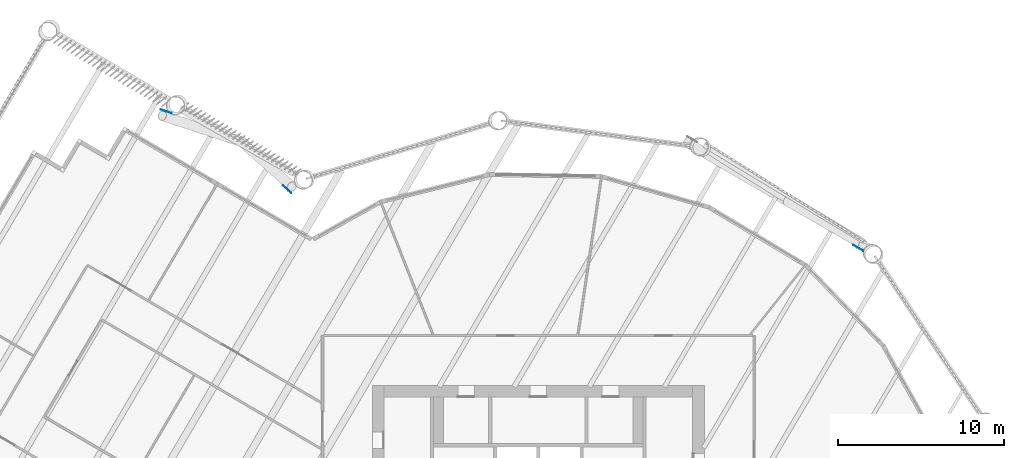
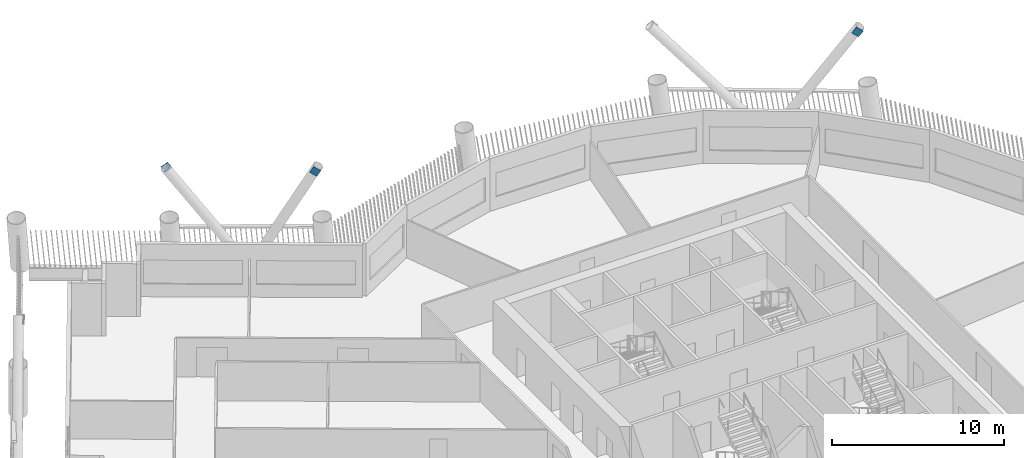
# One storey, part 15 of 23: 3 discrete accessories.
"""IFC4 building model written with IfcOpenShell, lengths in metres."""

import ifcopenshell
import ifcopenshell.guid

model = None  # the IFC model being written
_history = None  # IfcOwnerHistory: only IFC2X3 demands one
_inside = {}  # id of a spatial element -> (the spatial element, [elements in it])
_under = {}  # id of a project, library or spatial element -> (it, [spatial elements below it])
_declared = {}  # id of a project -> (the project, [libraries it declares])
_typed = {}  # id of a type object -> (the type object, [elements of that type])
_made_of = {}  # id of a material, layer set ... -> (it, [elements and type objects made of it])


def new_model(schema):
    """Start an empty IFC model of exactly this schema.

    Asked for "IFC4X3", IfcOpenShell would pick the latest addendum, in which some entities
    have other attributes; the version numbers below select the first issue.
    IFC2X3 requires an IfcOwnerHistory on every rooted entity: one is made here for all.
    """
    global model, _history
    if schema == "IFC4X3":
        model = ifcopenshell.file(schema_version=(4, 3, 0, 0))
    else:
        model = ifcopenshell.file(schema=schema)
    _inside.clear()
    _under.clear()
    _declared.clear()
    _typed.clear()
    _made_of.clear()
    _history = None
    if model.schema == "IFC2X3":
        org = make("IfcOrganization", Name="unknown")
        user = make(
            "IfcPersonAndOrganization",
            ThePerson=make("IfcPerson", FamilyName="unknown"),
            TheOrganization=org,
        )
        app = make(
            "IfcApplication",
            ApplicationDeveloper=org,
            Version="unknown",
            ApplicationFullName="unknown",
            ApplicationIdentifier="unknown",
        )
        _history = make(
            "IfcOwnerHistory",
            OwningUser=user,
            OwningApplication=app,
            ChangeAction="ADDED",
            CreationDate=0,
        )
    return model


def make(cls, **values):
    """One entity of the class cls with the attributes given. An attribute that is None is left unset."""
    return model.create_entity(
        cls, **{name: value for name, value in values.items() if value is not None}
    )


def rooted(cls, **values):
    """An entity with a GlobalId (a new one), such as an element, a storey or a relation."""
    return make(cls, GlobalId=ifcopenshell.guid.new(), OwnerHistory=_history, **values)


def si_unit(unit_type, name, prefix=None):
    """IfcSIUnit, for example si_unit("LENGTHUNIT", "METRE", prefix="MILLI")."""
    return make("IfcSIUnit", UnitType=unit_type, Prefix=prefix, Name=name)


def assignment(units):
    """IfcUnitAssignment: the units of a project."""
    return None if units is None else make("IfcUnitAssignment", Units=units)


def point(xyz):
    """IfcCartesianPoint."""
    return None if xyz is None else make("IfcCartesianPoint", Coordinates=xyz)


def direction(xyz):
    """IfcDirection."""
    return None if xyz is None else make("IfcDirection", DirectionRatios=xyz)


def frame(location, z_axis=None, x_axis=None):
    """IfcAxis2Placement3D, a coordinate frame: its origin and axes. An axis left out is left unset."""
    return make(
        "IfcAxis2Placement3D",
        Location=point(location),
        Axis=direction(z_axis),
        RefDirection=direction(x_axis),
    )


def frame_2d(location, x_axis=None):
    """IfcAxis2Placement2D, a coordinate frame in the plane: its origin and x axis."""
    return make(
        "IfcAxis2Placement2D", Location=point(location), RefDirection=direction(x_axis)
    )


def origin():
    """The frame at (0, 0, 0) with its axes left unset."""
    return frame((0.0, 0.0, 0.0))


def origin_2d():
    """The frame at (0, 0) in the plane with its x axis left unset."""
    return frame_2d((0.0, 0.0))


def place(relative_to, where):
    """IfcLocalPlacement: puts the frame where relative to a parent placement (None: the world)."""
    return make(
        "IfcLocalPlacement", PlacementRelTo=relative_to, RelativePlacement=where
    )


def context(
    kind, dimensions, precision=None, world=None, true_north=None, identifier=None
):
    """IfcGeometricRepresentationContext, for example the 3D "Model" context."""
    return make(
        "IfcGeometricRepresentationContext",
        ContextIdentifier=identifier,
        ContextType=kind,
        CoordinateSpaceDimension=dimensions,
        Precision=precision,
        WorldCoordinateSystem=world,
        TrueNorth=true_north,
    )


def subcontext(parent, identifier, kind, view, scale=None):
    """IfcGeometricRepresentationSubContext, for example "Body" below "Model"."""
    return make(
        "IfcGeometricRepresentationSubContext",
        ContextIdentifier=identifier,
        ContextType=kind,
        ParentContext=parent,
        TargetScale=scale,
        TargetView=view,
    )


def project(units=None, contexts=None):
    """IfcProject with its units and contexts."""
    return rooted(
        "IfcProject",
        Name="project",
        RepresentationContexts=contexts,
        UnitsInContext=assignment(units),
    )


def spatial(cls, under=None, at=None, **own):
    """A site, building, storey or space (cls), placed at a placement, below another one or the project."""
    s = rooted(cls, ObjectPlacement=at, **own)
    if under is not None:
        _under.setdefault(under.id(), (under, []))[1].append(s)
    return s


def profile(cls, at=None, kind="AREA", **sizes):
    """A parametric profile (cls). Its sizes go by their IFC names, for example OverallWidth=200.0."""
    return make(cls, ProfileType=kind, Position=at, **sizes)


def rectangle(**sizes):
    """IfcRectangleProfileDef."""
    return profile("IfcRectangleProfileDef", **sizes)


def extrude(swept, where, along, depth):
    """IfcExtrudedAreaSolid: the profile swept, set in the frame where, extruded along a direction by depth."""
    return make(
        "IfcExtrudedAreaSolid",
        SweptArea=swept,
        Position=where,
        ExtrudedDirection=direction(along),
        Depth=depth,
    )


def shape(context_of_items, identifier, shape_type, items):
    """IfcShapeRepresentation: the items that make up one representation, for example the "Body"."""
    return make(
        "IfcShapeRepresentation",
        ContextOfItems=context_of_items,
        RepresentationIdentifier=identifier,
        RepresentationType=shape_type,
        Items=items,
    )


def material(Name=None, Category=None):
    """IfcMaterial."""
    return make("IfcMaterial", Name=Name, Category=Category)


def material_profile(
    of_material, cross_section, Name=None, Category=None, Priority=None
):
    """IfcMaterialProfile: a cross section and its material."""
    return make(
        "IfcMaterialProfile",
        Name=Name,
        Material=of_material,
        Profile=cross_section,
        Priority=Priority,
        Category=Category,
    )


def profile_set(profiles, Name=None, composite=None):
    """IfcMaterialProfileSet."""
    return make(
        "IfcMaterialProfileSet",
        Name=Name,
        MaterialProfiles=profiles,
        CompositeProfile=composite,
    )


def made_of(thing, what):
    """Note that an element or type object is made of a material, layer set ...; save() writes the relation."""
    if what is not None:
        _made_of.setdefault(what.id(), (what, []))[1].append(thing)
    return thing


def type_object(cls, material=None, **own):
    """A type object (cls), such as IfcWallType, which elements share."""
    return made_of(rooted(cls, **own), material)


def element(
    cls,
    number,
    at=None,
    inside=None,
    cuts=None,
    type_object=None,
    material=None,
    context=None,
    identifier="Body",
    shape_type=None,
    held_by="IfcProductDefinitionShape",
    body=None,
    shapes=None,
    **own,
):
    """One element of the class cls, such as IfcWall. Its Tag is "e" and its number.

    at: its placement. inside: the storey or other place that contains it. cuts: it is an
    opening in that element (IfcRelVoidsElement). A single representation is given by context,
    identifier, shape_type and body (its items); several are given by shapes. held_by: the class
    of the entity that holds the representations. save() writes the other relations.
    """
    e = rooted(cls, Tag="e%d" % number, ObjectPlacement=at, **own)
    if body is not None:
        shapes = [shape(context, identifier, shape_type, body)]
    if shapes is not None:
        e.Representation = make(held_by, Representations=shapes)
    if inside is not None:
        _inside.setdefault(inside.id(), (inside, []))[1].append(e)
    if cuts is not None:
        rooted(
            "IfcRelVoidsElement", RelatingBuildingElement=cuts, RelatedOpeningElement=e
        )
    if type_object is not None:
        _typed.setdefault(type_object.id(), (type_object, []))[1].append(e)
    return made_of(e, material)


def aggregate(whole, parts):
    """IfcRelAggregates: a whole, such as a stair, and the parts it consists of."""
    return rooted("IfcRelAggregates", RelatingObject=whole, RelatedObjects=parts)


def save(model, path):
    """Write the relations noted so far, then the file.

    IfcRelAggregates (storeys below a building ...), IfcRelContainedInSpatialStructure (elements
    in a storey), IfcRelDefinesByType, IfcRelAssociatesMaterial and IfcRelDeclares: one each for
    every whole, place, type object, material and project.
    """
    for whole, parts in _under.values():
        aggregate(whole, parts)
    for where, things in _inside.values():
        rooted(
            "IfcRelContainedInSpatialStructure",
            RelatedElements=things,
            RelatingStructure=where,
        )
    for kind, things in _typed.values():
        rooted("IfcRelDefinesByType", RelatedObjects=things, RelatingType=kind)
    for what, things in _made_of.values():
        rooted("IfcRelAssociatesMaterial", RelatedObjects=things, RelatingMaterial=what)
    for by, libraries in _declared.values():
        rooted("IfcRelDeclares", RelatingContext=by, RelatedDefinitions=libraries)
    model.write(path)


model = new_model("IFC4")

# Units and contexts
model_context = context("Model", 3, precision=1e-05, world=origin(), true_north=direction((0.0, 1.0)))
body_context = subcontext(model_context, "Body", "Model", "MODEL_VIEW")
ifc_project = project(units=[si_unit("LENGTHUNIT", "METRE"), si_unit("AREAUNIT", "SQUARE_METRE"), si_unit("VOLUMEUNIT", "CUBIC_METRE"), si_unit("PLANEANGLEUNIT", "RADIAN"), si_unit("MASSUNIT", "GRAM", prefix="KILO")], contexts=[model_context])

# Site, building, storey
site_placement = place(None, origin())
site = spatial("IfcSite", under=ifc_project, at=site_placement, CompositionType="ELEMENT")
building_placement = place(site_placement, origin())
building = spatial("IfcBuilding", under=site, at=building_placement, Name="Tarsis Ring Headquarters", CompositionType="ELEMENT")
storey_placement = place(building_placement, frame((0.0, 0.0, 155.39990234375)))
storey = spatial("IfcBuildingStorey", under=building, at=storey_placement, Name="L35", CompositionType="ELEMENT", Elevation=155.39990234375)

# Discrete accessories
ifc_material = material(Name="Structural steel S355", Category="steel")
ifc_material_profile = material_profile(ifc_material, rectangle(XDim=0.02490234375, YDim=0.5, at=origin_2d()), Name="PL 25x500")
ifc_profile_set = profile_set([ifc_material_profile], Name="Structural steel S355")
discrete_accessory_type = type_object("IfcDiscreteAccessoryType", Name="Gusset plate Exo brace 25", PredefinedType="BRACKET", material=ifc_profile_set)
for number, where, z_axis, x_axis, name in (
    (1, (19.39794921875, 21.204345703125, 7.800048828125), (-0.482348165142, 0.278765994227, -0.830439502942), (-0.500379794091, -0.865806018497, 0.0), "Gusset plate GP5"),
    (2, (-22.5478515625, 29.546142578125, 7.800048828125), (0.514232864773, -0.168480853131, -0.840939214757), (0.311350284884, 0.950295217342, 0.0), "Gusset plate GP5"),
    (3, (-15.0458984375, 24.73779296875, 7.800048828125), (-0.345730080162, 0.308129492348, -0.886299569907), (-0.665344975903, -0.746536042693, 0.0), "Gusset plate GP5"),
):
    element("IfcDiscreteAccessory", number, at=place(storey_placement, frame(where, z_axis=z_axis, x_axis=x_axis)), inside=storey, type_object=discrete_accessory_type, Name=name, PredefinedType="BRACKET", context=body_context, shape_type="SweptSolid", body=[
        extrude(rectangle(XDim=0.02490234375, YDim=0.5, at=origin_2d()), origin(), (0.0, 0.0, 1.0), 0.5),
    ])

save(model, "model.ifc")
